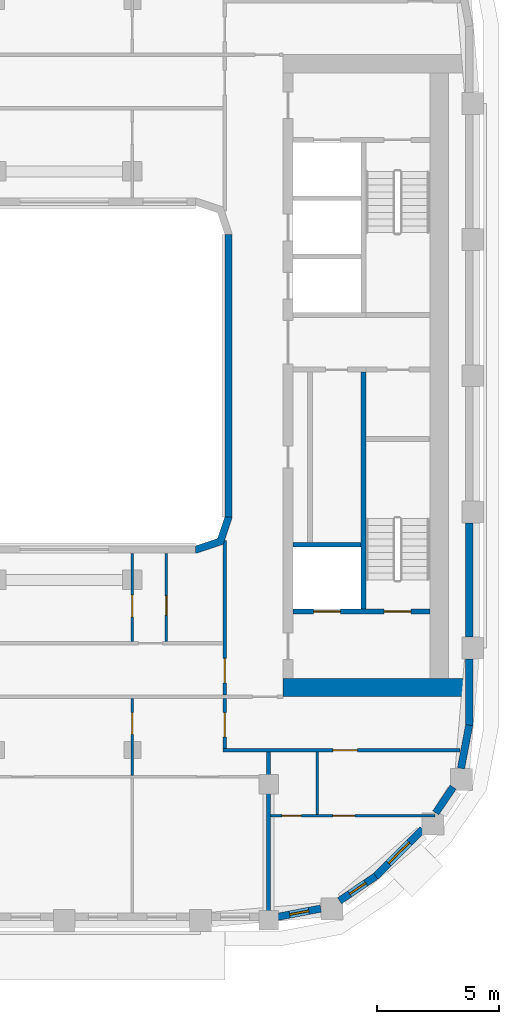
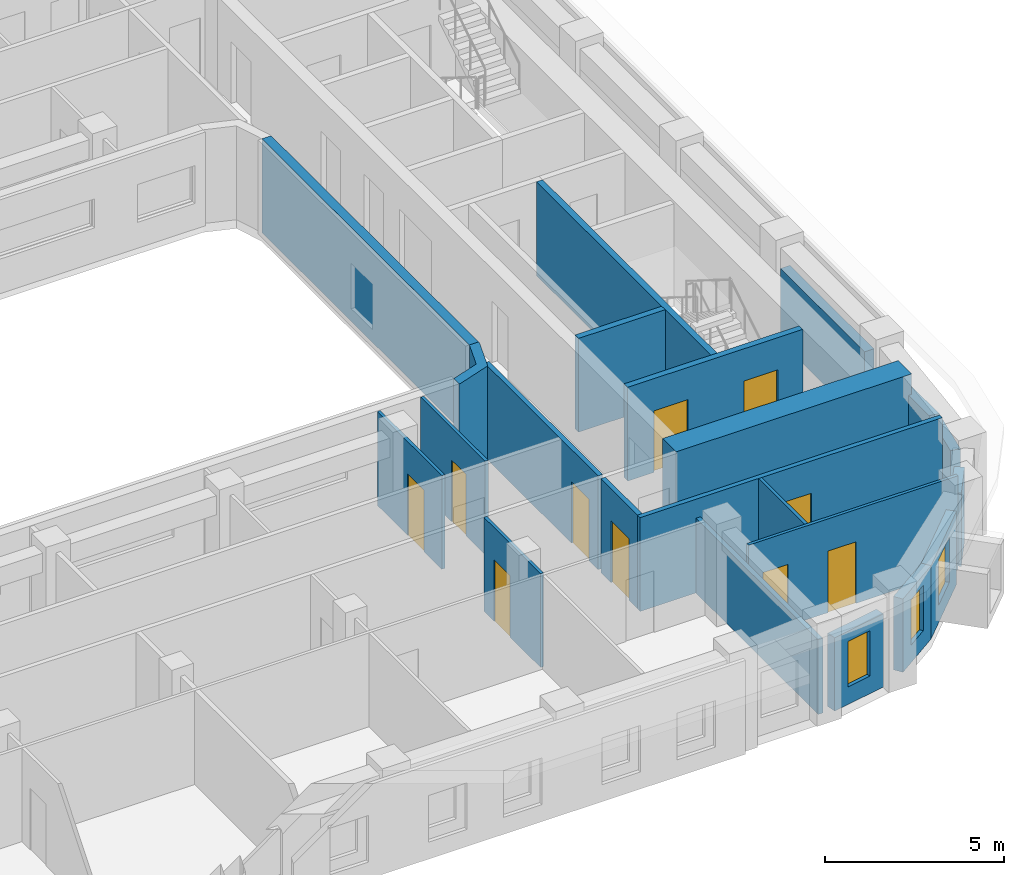
# One storey, part 5 of 21: 22 walls, 10 doors, 3 windows, 13 openings.
"""IFC4 building model written with IfcOpenShell, lengths in metres."""

from ifc_helpers import new_model, si_unit, direction, frame, frame_2d, origin, place, context, subcontext, project, spatial, polyline, rectangle, outline, extrude, material, layer, layer_set, type_object, element, fill, save


model = new_model("IFC4")

# Units and contexts
model_context = context("Model", 3, precision=1e-05, world=origin(), true_north=direction((0.0, 1.0)))
body_context = subcontext(model_context, "Body", "Model", "MODEL_VIEW")
ifc_project = project(units=[si_unit("LENGTHUNIT", "METRE"), si_unit("AREAUNIT", "SQUARE_METRE"), si_unit("VOLUMEUNIT", "CUBIC_METRE"), si_unit("PLANEANGLEUNIT", "RADIAN"), si_unit("MASSUNIT", "GRAM", prefix="KILO")], contexts=[model_context])

# Site, building, storey
site_placement = place(None, origin())
site = spatial("IfcSite", under=ifc_project, at=site_placement, CompositionType="ELEMENT")
building_placement = place(site_placement, origin())
building = spatial("IfcBuilding", under=site, at=building_placement, Name="Kiln Ring Residences", CompositionType="ELEMENT")
storey_placement = place(building_placement, frame((0.0, 0.0, 202.89990234375)))
storey = spatial("IfcBuildingStorey", under=building, at=storey_placement, Name="L52", CompositionType="ELEMENT", Elevation=202.89990234375)

# Walls
ifc_material_1 = material(Name="Gypsum shaft wall system")
ifc_layer_1 = layer(ifc_material_1, 0.199951171875)
ifc_layer_set_1 = layer_set([ifc_layer_1], Name="CORE-SHAFT-WALL-200")
wall_type_1 = type_object("IfcWallType", Name="CORE-SHAFT-WALL-200", PredefinedType="PARTITIONING", material=ifc_layer_set_1)
wall_1_placement = place(storey_placement, frame((17.800048828125, -6.949951171875, 0.0), z_axis=(0.0, 0.0, 1.0), x_axis=(1.0, 0.0, 0.0)))
element("IfcWall", 1, at=wall_1_placement, inside=storey, type_object=wall_type_1, Name="Core partition east L52 3", PredefinedType="PARTITIONING", context=body_context, shape_type="SweptSolid", body=[
    extrude(rectangle(XDim=2.800048828125, YDim=0.199951171875, at=frame_2d((1.39990234375, 0.0))), origin(), (0.0, 0.0, 1.0), 3.2001953125),
])
ifc_material_2 = material(Name="Concrete C40/50", Category="concrete")
ifc_layer_2 = layer(ifc_material_2, 0.199951171875)
ifc_layer_set_2 = layer_set([ifc_layer_2], Name="CORE-WALL-RC200")
wall_type_2 = type_object("IfcWallType", Name="CORE-WALL-RC200", PredefinedType="SHEAR", material=ifc_layer_set_2)
wall_2_placement = place(storey_placement, frame((20.699951171875, -9.60009765625, 0.0), z_axis=(0.0, 0.0, 1.0), x_axis=(0.0, 1.0, 0.0)))
element("IfcWall", 2, at=wall_2_placement, inside=storey, type_object=wall_type_2, Name="Core wall east L52 2", PredefinedType="SHEAR", context=body_context, shape_type="SweptSolid", body=[
    extrude(rectangle(XDim=9.75, YDim=0.199951171875, at=frame_2d((4.875, 0.0))), origin(), (0.0, 0.0, 1.0), 3.2001953125),
])

# Wall, openings, doors
wall_3_placement = place(storey_placement, frame((17.800048828125, -9.699951171875, 0.0), z_axis=(0.0, 0.0, 1.0), x_axis=(1.0, 0.0, 0.0)))
wall_3 = element("IfcWall", 3, at=wall_3_placement, inside=storey, type_object=wall_type_2, Name="Core wall east L52 8", PredefinedType="SHEAR", context=body_context, shape_type="SweptSolid", body=[
    extrude(rectangle(XDim=5.64990234375, YDim=0.199951171875, at=frame_2d((2.824951171875, 0.0))), origin(), (0.0, 0.0, 1.0), 3.2001953125),
])
opening_1_placement = place(wall_3_placement, frame((0.85009765625, 0.0, 0.0)))
opening_1 = element("IfcOpeningElement", 4, at=opening_1_placement, cuts=wall_3, Name="Opening L52-CE01", PredefinedType="OPENING", context=body_context, shape_type="SweptSolid", body=[
    extrude(rectangle(XDim=1.10009765625, YDim=2.10009765625, at=frame_2d((0.550048828125, 1.050048828125))), frame((0.0, 0.10986328125, 0.0), z_axis=(0.0, -1.0, 0.0), x_axis=(1.0, 0.0, 0.0)), (0.0, 0.0, 1.0), 0.219970703125),
])
opening_2_placement = place(wall_3_placement, frame((3.75, 0.0, 0.0)))
opening_2 = element("IfcOpeningElement", 5, at=opening_2_placement, cuts=wall_3, Name="Opening L52-CE10", PredefinedType="OPENING", context=body_context, shape_type="SweptSolid", body=[
    extrude(rectangle(XDim=1.10009765625, YDim=2.10009765625, at=frame_2d((0.550048828125, 1.050048828125))), frame((0.0, 0.10986328125, 0.0), z_axis=(0.0, -1.0, 0.0), x_axis=(1.0, 0.0, 0.0)), (0.0, 0.0, 1.0), 0.219970703125),
])
ifc_material_3 = material(Name="Steel door leaf", Category="steel")
door_type_1 = type_object("IfcDoorType", Name="CORE-DOOR-LD", OperationType="DOUBLE_DOOR_SLIDING", PredefinedType="DOOR", material=ifc_material_3)
door_1_placement = place(opening_1_placement, origin())
door_1 = element("IfcDoor", 6, at=door_1_placement, inside=storey, type_object=door_type_1, Name="LD E-SV L52-CE01", OperationType="DOUBLE_DOOR_SLIDING", OverallHeight=2.10009765625, OverallWidth=1.10009765625, PredefinedType="DOOR", context=body_context, shape_type="SweptSolid", body=[
    extrude(rectangle(XDim=1.10009765625, YDim=2.10009765625, at=frame_2d((0.550048828125, 1.050048828125))), frame((0.0, 0.02490234375, 0.0), z_axis=(0.0, -1.0, 0.0), x_axis=(1.0, 0.0, 0.0)), (0.0, 0.0, 1.0), 0.050048828125),
])
fill(opening_1, door_1)
ifc_material_4 = material(Name="Steel door leaf", Category="steel")
door_type_2 = type_object("IfcDoorType", Name="CORE-DOOR-STAIR", OperationType="SINGLE_SWING_LEFT", PredefinedType="DOOR", material=ifc_material_4)
door_2_placement = place(opening_2_placement, origin())
door_2 = element("IfcDoor", 7, at=door_2_placement, inside=storey, type_object=door_type_2, Name="Stair E-STS L52-CE10", OperationType="SINGLE_SWING_RIGHT", OverallHeight=2.10009765625, OverallWidth=1.10009765625, PredefinedType="DOOR", context=body_context, shape_type="SweptSolid", body=[
    extrude(rectangle(XDim=1.10009765625, YDim=2.10009765625, at=frame_2d((0.550048828125, 1.050048828125))), frame((0.0, 0.02490234375, 0.0), z_axis=(0.0, -1.0, 0.0), x_axis=(1.0, 0.0, 0.0)), (0.0, 0.0, 1.0), 0.050048828125),
])
fill(opening_2, door_2)

# Wall
ifc_material_5 = material(Name="Concrete C60/75", Category="concrete")
ifc_layer_3 = layer(ifc_material_5, 0.75)
ifc_layer_set_3 = layer_set([ifc_layer_3], Name="CORE-WALL-RC750")
wall_type_3 = type_object("IfcWallType", Name="CORE-WALL-RC750", PredefinedType="SHEAR", material=ifc_layer_set_3)
wall_4_placement = place(storey_placement, frame((17.39990234375, -12.824951171875, 0.0), z_axis=(0.0, 0.0, 1.0), x_axis=(1.0, 0.0, 0.0)))
element("IfcWall", 8, at=wall_4_placement, inside=storey, type_object=wall_type_3, Name="Core wall east L52 5", PredefinedType="SHEAR", context=body_context, shape_type="SweptSolid", body=[
    extrude(rectangle(XDim=7.60009765625, YDim=0.75, at=frame_2d((3.800048828125, 0.0))), origin(), (0.0, 0.0, 1.0), 3.2001953125),
])

# Wall, opening, window
ifc_material_6 = material(Name="Brick masonry, dark clay brick", Category="masonry")
ifc_layer_4 = layer(ifc_material_6, 0.300048828125)
ifc_layer_set_4 = layer_set([ifc_layer_4], Name="EW-300 BRICK WALL")
wall_type_4 = type_object("IfcWallType", Name="EW-300 BRICK WALL", PredefinedType="SOLIDWALL", material=ifc_layer_set_4)
wall_5_placement = place(storey_placement, frame((17.178955078125, -22.251220703125, 0.0), z_axis=(0.0, 0.0, 1.0), x_axis=(0.98230529033, 0.187286722942, 0.0)))
wall_5 = element("IfcWall", 9, at=wall_5_placement, inside=storey, type_object=wall_type_4, Name="Facade wall L52 11", PredefinedType="SOLIDWALL", context=body_context, shape_type="SweptSolid", body=[
    extrude(rectangle(XDim=1.798828125, YDim=0.300048828125, at=frame_2d((0.8994140625, 0.0))), origin(), (0.0, 0.0, 1.0), 2.5),
])
opening_3_placement = place(wall_5_placement, frame((0.49951171875, 0.0, 0.60009765625)))
opening_3 = element("IfcOpeningElement", 10, at=opening_3_placement, cuts=wall_5, Name="Opening W5", PredefinedType="OPENING", context=body_context, shape_type="SweptSolid", body=[
    extrude(rectangle(XDim=0.800048828125, YDim=1.550048828125, at=frame_2d((0.39990234375, 0.77490234375))), frame((0.0, 0.159912109375, 0.0), z_axis=(0.0, -1.0, 0.0), x_axis=(1.0, 0.0, 0.0)), (0.0, 0.0, 1.0), 0.320068359375),
])
ifc_material_7 = material(Name="Aluminium frame with double glazing", Category="aluminium")
window_type_1 = type_object("IfcWindowType", Name="WINDOW 800 x 1550", PartitioningType="SINGLE_PANEL", PredefinedType="WINDOW", material=ifc_material_7)
window_1_placement = place(opening_3_placement, origin())
window_1 = element("IfcWindow", 11, at=window_1_placement, inside=storey, type_object=window_type_1, Name="Window L52 14", OverallHeight=1.550048828125, OverallWidth=0.800048828125, PartitioningType="SINGLE_PANEL", PredefinedType="WINDOW", context=body_context, shape_type="SweptSolid", body=[
    extrude(rectangle(XDim=0.800048828125, YDim=1.550048828125, at=frame_2d((0.39990234375, 0.77490234375))), frame((0.0, 0.030029296875, 0.0), z_axis=(0.0, -1.0, 0.0), x_axis=(1.0, 0.0, 0.0)), (0.0, 0.0, 1.0), 0.06005859375),
])
fill(opening_3, window_1)

wall_6_placement = place(storey_placement, frame((19.718994140625, -21.593994140625, 0.0), z_axis=(0.0, 0.0, 1.0), x_axis=(0.827067282455, 0.562102935673, 0.0)))
wall_6 = element("IfcWall", 12, at=wall_6_placement, inside=storey, type_object=wall_type_4, Name="Facade wall L52 12", PredefinedType="SOLIDWALL", context=body_context, shape_type="SweptSolid", body=[
    extrude(rectangle(XDim=1.805908203125, YDim=0.300048828125, at=frame_2d((0.90283203125, 0.0))), origin(), (0.0, 0.0, 1.0), 2.5),
])
opening_4_placement = place(wall_6_placement, frame((0.5029296875, 0.0, 0.60009765625)))
opening_4 = element("IfcOpeningElement", 13, at=opening_4_placement, cuts=wall_6, Name="Opening W5", PredefinedType="OPENING", context=body_context, shape_type="SweptSolid", body=[
    extrude(rectangle(XDim=0.800048828125, YDim=1.550048828125, at=frame_2d((0.39990234375, 0.77490234375))), frame((0.0, 0.159912109375, 0.0), z_axis=(0.0, -1.0, 0.0), x_axis=(1.0, 0.0, 0.0)), (0.0, 0.0, 1.0), 0.320068359375),
])
window_2_placement = place(opening_4_placement, origin())
window_2 = element("IfcWindow", 14, at=window_2_placement, inside=storey, type_object=window_type_1, Name="Window L52 15", OverallHeight=1.550048828125, OverallWidth=0.800048828125, PartitioningType="SINGLE_PANEL", PredefinedType="WINDOW", context=body_context, shape_type="SweptSolid", body=[
    extrude(rectangle(XDim=0.800048828125, YDim=1.550048828125, at=frame_2d((0.39990234375, 0.77490234375))), frame((0.0, 0.030029296875, 0.0), z_axis=(0.0, -1.0, 0.0), x_axis=(1.0, 0.0, 0.0)), (0.0, 0.0, 1.0), 0.06005859375),
])
fill(opening_4, window_2)

wall_7_placement = place(storey_placement, frame((21.19091796875, -20.596923828125, 0.0), z_axis=(0.0, 0.0, 1.0), x_axis=(0.707106781187, 0.707106781187, 0.0)))
wall_7 = element("IfcWall", 15, at=wall_7_placement, inside=storey, type_object=wall_type_4, Name="Facade wall L52 13", PredefinedType="SOLIDWALL", context=body_context, shape_type="SweptSolid", body=[
    extrude(rectangle(XDim=2.75, YDim=0.300048828125, at=frame_2d((1.375, 0.0))), origin(), (0.0, 0.0, 1.0), 2.5),
])
opening_5_placement = place(wall_7_placement, frame((0.77490234375, 0.0, 0.60009765625)))
opening_5 = element("IfcOpeningElement", 16, at=opening_5_placement, cuts=wall_7, Name="Opening W1", PredefinedType="OPENING", context=body_context, shape_type="SweptSolid", body=[
    extrude(rectangle(XDim=1.199951171875, YDim=1.550048828125, at=frame_2d((0.60009765625, 0.77490234375))), frame((0.0, 0.159912109375, 0.0), z_axis=(0.0, -1.0, 0.0), x_axis=(1.0, 0.0, 0.0)), (0.0, 0.0, 1.0), 0.320068359375),
])
ifc_material_8 = material(Name="Aluminium frame with double glazing", Category="aluminium")
window_type_2 = type_object("IfcWindowType", Name="WINDOW 1200 x 1550", PartitioningType="SINGLE_PANEL", PredefinedType="WINDOW", material=ifc_material_8)
window_3_placement = place(opening_5_placement, origin())
window_3 = element("IfcWindow", 17, at=window_3_placement, inside=storey, type_object=window_type_2, Name="Window L52 16", OverallHeight=1.550048828125, OverallWidth=1.199951171875, PartitioningType="SINGLE_PANEL", PredefinedType="WINDOW", context=body_context, shape_type="SweptSolid", body=[
    extrude(rectangle(XDim=1.199951171875, YDim=1.550048828125, at=frame_2d((0.60009765625, 0.77490234375))), frame((0.0, 0.030029296875, 0.0), z_axis=(0.0, -1.0, 0.0), x_axis=(1.0, 0.0, 0.0)), (0.0, 0.0, 1.0), 0.06005859375),
])
fill(opening_5, window_3)

# Walls
wall_8_placement = place(storey_placement, frame((23.67626953125, -17.975341796875, 0.0), z_axis=(0.0, 0.0, 1.0), x_axis=(0.56200149592, 0.827136215253, 0.0)))
element("IfcWall", 18, at=wall_8_placement, inside=storey, type_object=wall_type_4, Name="Facade wall L52 14", PredefinedType="SOLIDWALL", context=body_context, shape_type="SweptSolid", body=[
    extrude(rectangle(XDim=1.277099609375, YDim=0.300048828125, at=frame_2d((0.638671875, 0.0))), origin(), (0.0, 0.0, 1.0), 2.5),
])
wall_9_placement = place(storey_placement, frame((24.71435546875, -16.14599609375, 0.0), z_axis=(0.0, 0.0, 1.0), x_axis=(0.187348135549, 0.982293579388, 0.0)))
element("IfcWall", 19, at=wall_9_placement, inside=storey, type_object=wall_type_4, Name="Facade wall L52 15", PredefinedType="SOLIDWALL", context=body_context, shape_type="SweptSolid", body=[
    extrude(rectangle(XDim=1.80615234375, YDim=0.300048828125, at=frame_2d((0.903076171875, 0.0))), origin(), (0.0, 0.0, 1.0), 2.5),
])
wall_10_placement = place(storey_placement, frame((25.050048828125, -14.39990234375, 0.0), z_axis=(0.0, 0.0, 1.0), x_axis=(0.0, 1.0, 0.0)))
element("IfcWall", 20, at=wall_10_placement, inside=storey, type_object=wall_type_4, Name="Facade wall L52 16", PredefinedType="SOLIDWALL", context=body_context, shape_type="SweptSolid", body=[
    extrude(rectangle(XDim=2.75, YDim=0.300048828125, at=frame_2d((1.375, 0.0))), origin(), (0.0, 0.0, 1.0), 2.5),
])
wall_11_placement = place(storey_placement, frame((25.050048828125, -10.75, 0.0), z_axis=(0.0, 0.0, 1.0), x_axis=(0.0, 1.0, 0.0)))
element("IfcWall", 21, at=wall_11_placement, inside=storey, type_object=wall_type_4, Name="Facade wall L52 17", PredefinedType="SOLIDWALL", context=body_context, shape_type="SweptSolid", body=[
    extrude(rectangle(XDim=4.699951171875, YDim=0.300048828125, at=frame_2d((2.35009765625, 0.0))), origin(), (0.0, 0.0, 1.0), 2.5),
])
wall_12_placement = place(storey_placement, frame((15.14990234375, 5.800048828125, 0.0), z_axis=(0.0, 0.0, 1.0), x_axis=(0.0, -1.0, 0.0)))
element("IfcWall", 22, at=wall_12_placement, inside=storey, type_object=wall_type_4, Name="Facade wall L52 49", PredefinedType="SOLIDWALL", context=body_context, shape_type="SweptSolid", body=[
    extrude(rectangle(XDim=11.60009765625, YDim=0.300048828125, at=frame_2d((5.800048828125, 0.0))), origin(), (0.0, 0.0, 1.0), 3.2001953125),
])
wall_13_placement = place(storey_placement, origin())
element("IfcWall", 23, at=wall_13_placement, inside=storey, type_object=wall_type_4, Name="Corner wall L52 3", PredefinedType="SOLIDWALL", context=body_context, shape_type="SweptSolid", body=[
    extrude(outline(polyline([(14.937255859375, -6.937255859375), (15.300048828125, -5.8486328125), (15.300048828125, -5.800048828125), (15.0, -5.800048828125), (14.699951171875, -6.699951171875), (13.800048828125, -7.0), (13.800048828125, -7.300048828125), (13.8486328125, -7.300048828125), (14.937255859375, -6.937255859375)])), origin(), (0.0, 0.0, 1.0), 3.2001953125),
])

# Wall, openings, doors
ifc_material_9 = material(Name="Gypsum board on steel studs", Category="steel")
ifc_layer_5 = layer(ifc_material_9, 0.10009765625)
ifc_layer_set_5 = layer_set([ifc_layer_5], Name="PARTITION-100")
wall_type_5 = type_object("IfcWallType", Name="PARTITION-100", PredefinedType="PARTITIONING", material=ifc_layer_set_5)
wall_14_placement = place(storey_placement, frame((16.875, -18.10009765625, 0.0), z_axis=(0.0, 0.0, 1.0), x_axis=(1.0, 0.0, 0.0)))
wall_14 = element("IfcWall", 24, at=wall_14_placement, inside=storey, type_object=wall_type_5, Name="Partition 001", PredefinedType="PARTITIONING", context=body_context, shape_type="SweptSolid", body=[
    extrude(rectangle(XDim=6.764892578125, YDim=0.10009765625, at=frame_2d((3.38232421875, 0.0))), origin(), (0.0, 0.0, 1.0), 3.2001953125),
])
opening_6_placement = place(wall_14_placement, frame((0.47509765625, 0.0, 0.0)))
opening_6 = element("IfcOpeningElement", 25, at=opening_6_placement, cuts=wall_14, Name="Opening L52-D058", PredefinedType="OPENING", context=body_context, shape_type="SweptSolid", body=[
    extrude(rectangle(XDim=0.800048828125, YDim=2.10009765625, at=frame_2d((0.39990234375, 1.050048828125))), frame((0.0, 0.06005859375, 0.0), z_axis=(0.0, -1.0, 0.0), x_axis=(1.0, 0.0, 0.0)), (0.0, 0.0, 1.0), 0.1201171875),
])
opening_7_placement = place(wall_14_placement, frame((2.574951171875, 0.0, 0.0)))
opening_7 = element("IfcOpeningElement", 26, at=opening_7_placement, cuts=wall_14, Name="Opening L52-D059", PredefinedType="OPENING", context=body_context, shape_type="SweptSolid", body=[
    extrude(rectangle(XDim=0.89990234375, YDim=2.10009765625, at=frame_2d((0.449951171875, 1.050048828125))), frame((0.0, 0.06005859375, 0.0), z_axis=(0.0, -1.0, 0.0), x_axis=(1.0, 0.0, 0.0)), (0.0, 0.0, 1.0), 0.1201171875),
])
ifc_material_10 = material(Name="Timber door leaf", Category="wood")
door_type_3 = type_object("IfcDoorType", Name="FLAT-DOOR-800-PL", OperationType="SINGLE_SWING_LEFT", PredefinedType="DOOR", material=ifc_material_10)
door_3_placement = place(opening_6_placement, origin())
door_3 = element("IfcDoor", 27, at=door_3_placement, inside=storey, type_object=door_type_3, Name="Door L52-D058", OperationType="SINGLE_SWING_RIGHT", OverallHeight=2.10009765625, OverallWidth=0.800048828125, PredefinedType="DOOR", context=body_context, shape_type="SweptSolid", body=[
    extrude(rectangle(XDim=0.800048828125, YDim=2.10009765625, at=frame_2d((0.39990234375, 1.050048828125))), frame((0.0, 0.02490234375, 0.0), z_axis=(0.0, -1.0, 0.0), x_axis=(1.0, 0.0, 0.0)), (0.0, 0.0, 1.0), 0.050048828125),
])
fill(opening_6, door_3)
ifc_material_11 = material(Name="Timber door leaf", Category="wood")
door_type_4 = type_object("IfcDoorType", Name="FLAT-DOOR-900-PL", OperationType="SINGLE_SWING_LEFT", PredefinedType="DOOR", material=ifc_material_11)
door_4_placement = place(opening_7_placement, origin())
door_4 = element("IfcDoor", 28, at=door_4_placement, inside=storey, type_object=door_type_4, Name="Door L52-D059", OperationType="SINGLE_SWING_LEFT", OverallHeight=2.10009765625, OverallWidth=0.89990234375, PredefinedType="DOOR", context=body_context, shape_type="SweptSolid", body=[
    extrude(rectangle(XDim=0.89990234375, YDim=2.10009765625, at=frame_2d((0.449951171875, 1.050048828125))), frame((0.0, 0.02490234375, 0.0), z_axis=(0.0, -1.0, 0.0), x_axis=(1.0, 0.0, 0.0)), (0.0, 0.0, 1.0), 0.050048828125),
])
fill(opening_7, door_4)

# Wall, opening, door
wall_15_placement = place(storey_placement, frame((11.199951171875, -16.449951171875, 0.0), z_axis=(0.0, 0.0, 1.0), x_axis=(0.0, 1.0, 0.0)))
wall_15 = element("IfcWall", 29, at=wall_15_placement, inside=storey, type_object=wall_type_5, Name="Partition 051", PredefinedType="PARTITIONING", context=body_context, shape_type="SweptSolid", body=[
    extrude(rectangle(XDim=3.175048828125, YDim=0.10009765625, at=frame_2d((1.58740234375, 0.0))), origin(), (0.0, 0.0, 1.0), 3.2001953125),
])
opening_8_placement = place(wall_15_placement, frame((1.698974609375, 0.0, 0.0)))
opening_8 = element("IfcOpeningElement", 30, at=opening_8_placement, cuts=wall_15, Name="Opening L52-D052", PredefinedType="OPENING", context=body_context, shape_type="SweptSolid", body=[
    extrude(rectangle(XDim=0.89990234375, YDim=2.10009765625, at=frame_2d((0.449951171875, 1.050048828125))), frame((0.0, 0.06005859375, 0.0), z_axis=(0.0, -1.0, 0.0), x_axis=(1.0, 0.0, 0.0)), (0.0, 0.0, 1.0), 0.1201171875),
])
door_5_placement = place(opening_8_placement, origin())
door_5 = element("IfcDoor", 31, at=door_5_placement, inside=storey, type_object=door_type_4, Name="Door L52-D052", OperationType="SINGLE_SWING_LEFT", OverallHeight=2.10009765625, OverallWidth=0.89990234375, PredefinedType="DOOR", context=body_context, shape_type="SweptSolid", body=[
    extrude(rectangle(XDim=0.89990234375, YDim=2.10009765625, at=frame_2d((0.449951171875, 1.050048828125))), frame((0.0, 0.02490234375, 0.0), z_axis=(0.0, -1.0, 0.0), x_axis=(1.0, 0.0, 0.0)), (0.0, 0.0, 1.0), 0.050048828125),
])
fill(opening_8, door_5)

wall_16_placement = place(storey_placement, frame((11.199951171875, -10.925048828125, 0.0), z_axis=(0.0, 0.0, 1.0), x_axis=(0.0, 1.0, 0.0)))
wall_16 = element("IfcWall", 32, at=wall_16_placement, inside=storey, type_object=wall_type_5, Name="Partition 052", PredefinedType="PARTITIONING", context=body_context, shape_type="SweptSolid", body=[
    extrude(rectangle(XDim=3.60498046875, YDim=0.10009765625, at=frame_2d((1.802490234375, 0.0))), origin(), (0.0, 0.0, 1.0), 3.2001953125),
])
opening_9_placement = place(wall_16_placement, frame((1.0048828125, 0.0, 0.0)))
opening_9 = element("IfcOpeningElement", 33, at=opening_9_placement, cuts=wall_16, Name="Opening L52-D043", PredefinedType="OPENING", context=body_context, shape_type="SweptSolid", body=[
    extrude(rectangle(XDim=0.89990234375, YDim=2.10009765625, at=frame_2d((0.449951171875, 1.050048828125))), frame((0.0, 0.06005859375, 0.0), z_axis=(0.0, -1.0, 0.0), x_axis=(1.0, 0.0, 0.0)), (0.0, 0.0, 1.0), 0.1201171875),
])
door_6_placement = place(opening_9_placement, origin())
door_6 = element("IfcDoor", 34, at=door_6_placement, inside=storey, type_object=door_type_4, Name="Door L52-D043", OperationType="SINGLE_SWING_RIGHT", OverallHeight=2.10009765625, OverallWidth=0.89990234375, PredefinedType="DOOR", context=body_context, shape_type="SweptSolid", body=[
    extrude(rectangle(XDim=0.89990234375, YDim=2.10009765625, at=frame_2d((0.449951171875, 1.050048828125))), frame((0.0, 0.02490234375, 0.0), z_axis=(0.0, -1.0, 0.0), x_axis=(1.0, 0.0, 0.0)), (0.0, 0.0, 1.0), 0.050048828125),
])
fill(opening_9, door_6)

wall_17_placement = place(storey_placement, frame((12.60009765625, -10.925048828125, 0.0), z_axis=(0.0, 0.0, 1.0), x_axis=(0.0, 1.0, 0.0)))
wall_17 = element("IfcWall", 35, at=wall_17_placement, inside=storey, type_object=wall_type_5, Name="Partition 056", PredefinedType="PARTITIONING", context=body_context, shape_type="SweptSolid", body=[
    extrude(rectangle(XDim=3.60498046875, YDim=0.10009765625, at=frame_2d((1.802490234375, 0.0))), origin(), (0.0, 0.0, 1.0), 3.2001953125),
])
opening_10_placement = place(wall_17_placement, frame((1.075927734375, 0.0, 0.0)))
opening_10 = element("IfcOpeningElement", 36, at=opening_10_placement, cuts=wall_17, Name="Opening L52-D042", PredefinedType="OPENING", context=body_context, shape_type="SweptSolid", body=[
    extrude(rectangle(XDim=0.800048828125, YDim=2.10009765625, at=frame_2d((0.39990234375, 1.050048828125))), frame((0.0, 0.06005859375, 0.0), z_axis=(0.0, -1.0, 0.0), x_axis=(1.0, 0.0, 0.0)), (0.0, 0.0, 1.0), 0.1201171875),
])
door_7_placement = place(opening_10_placement, origin())
door_7 = element("IfcDoor", 37, at=door_7_placement, inside=storey, type_object=door_type_3, Name="Door L52-D042", OperationType="SINGLE_SWING_LEFT", OverallHeight=2.10009765625, OverallWidth=0.800048828125, PredefinedType="DOOR", context=body_context, shape_type="SweptSolid", body=[
    extrude(rectangle(XDim=0.800048828125, YDim=2.10009765625, at=frame_2d((0.39990234375, 1.050048828125))), frame((0.0, 0.02490234375, 0.0), z_axis=(0.0, -1.0, 0.0), x_axis=(1.0, 0.0, 0.0)), (0.0, 0.0, 1.0), 0.050048828125),
])
fill(opening_10, door_7)

# Wall
wall_18_placement = place(storey_placement, frame((18.800048828125, -18.050048828125, 0.0), z_axis=(0.0, 0.0, 1.0), x_axis=(0.0, 1.0, 0.0)))
element("IfcWall", 38, at=wall_18_placement, inside=storey, type_object=wall_type_5, Name="Partition 064", PredefinedType="PARTITIONING", context=body_context, shape_type="SweptSolid", body=[
    extrude(rectangle(XDim=2.574951171875, YDim=0.10009765625, at=frame_2d((1.28759765625, 0.0))), origin(), (0.0, 0.0, 1.0), 3.2001953125),
])

# Wall, opening, door
ifc_material_12 = material(Name="Brick masonry partition", Category="masonry")
ifc_layer_6 = layer(ifc_material_12, 0.14990234375)
ifc_layer_set_6 = layer_set([ifc_layer_6], Name="PARTITION-150-ei60")
wall_type_6 = type_object("IfcWallType", Name="PARTITION-150-ei60", PredefinedType="PARTITIONING", material=ifc_layer_set_6)
wall_19_placement = place(storey_placement, frame((14.925048828125, -15.39990234375, 0.0), z_axis=(0.0, 0.0, 1.0), x_axis=(1.0, 0.0, 0.0)))
wall_19 = element("IfcWall", 39, at=wall_19_placement, inside=storey, type_object=wall_type_6, Name="Partition 004", PredefinedType="PARTITIONING", context=body_context, shape_type="SweptSolid", body=[
    extrude(rectangle(XDim=9.7587890625, YDim=0.14990234375, at=frame_2d((4.87939453125, 0.0))), origin(), (0.0, 0.0, 1.0), 3.2001953125),
])
opening_11_placement = place(wall_19_placement, frame((4.52490234375, 0.0, 0.0)))
opening_11 = element("IfcOpeningElement", 40, at=opening_11_placement, cuts=wall_19, Name="Opening L52-D057", PredefinedType="OPENING", context=body_context, shape_type="SweptSolid", body=[
    extrude(rectangle(XDim=1.0, YDim=2.10009765625, at=frame_2d((0.5, 1.050048828125))), frame((0.0, 0.0849609375, 0.0), z_axis=(0.0, -1.0, 0.0), x_axis=(1.0, 0.0, 0.0)), (0.0, 0.0, 1.0), 0.169921875),
])
ifc_material_13 = material(Name="Steel faced fire door leaf", Category="steel")
door_type_5 = type_object("IfcDoorType", Name="FLAT-DOOR-1000-FR", OperationType="SINGLE_SWING_LEFT", PredefinedType="DOOR", material=ifc_material_13)
door_8_placement = place(opening_11_placement, origin())
door_8 = element("IfcDoor", 41, at=door_8_placement, inside=storey, type_object=door_type_5, Name="Door L52-D057", OperationType="SINGLE_SWING_LEFT", OverallHeight=2.10009765625, OverallWidth=1.0, PredefinedType="DOOR", context=body_context, shape_type="SweptSolid", body=[
    extrude(rectangle(XDim=1.0, YDim=2.10009765625, at=frame_2d((0.5, 1.050048828125))), frame((0.0, 0.02490234375, 0.0), z_axis=(0.0, -1.0, 0.0), x_axis=(1.0, 0.0, 0.0)), (0.0, 0.0, 1.0), 0.050048828125),
])
fill(opening_11, door_8)

wall_20_placement = place(storey_placement, frame((15.0, -15.324951171875, 0.0), z_axis=(0.0, 0.0, 1.0), x_axis=(0.0, 1.0, 0.0)))
wall_20 = element("IfcWall", 42, at=wall_20_placement, inside=storey, type_object=wall_type_6, Name="Partition 058", PredefinedType="PARTITIONING", context=body_context, shape_type="SweptSolid", body=[
    extrude(rectangle(XDim=2.050048828125, YDim=0.14990234375, at=frame_2d((1.02490234375, 0.0))), origin(), (0.0, 0.0, 1.0), 3.2001953125),
])
opening_12_placement = place(wall_20_placement, frame((0.47412109375, 0.0, 0.0)))
opening_12 = element("IfcOpeningElement", 43, at=opening_12_placement, cuts=wall_20, Name="Opening L52-D051", PredefinedType="OPENING", context=body_context, shape_type="SweptSolid", body=[
    extrude(rectangle(XDim=1.0, YDim=2.10009765625, at=frame_2d((0.5, 1.050048828125))), frame((0.0, 0.0849609375, 0.0), z_axis=(0.0, -1.0, 0.0), x_axis=(1.0, 0.0, 0.0)), (0.0, 0.0, 1.0), 0.169921875),
])
door_9_placement = place(opening_12_placement, origin())
door_9 = element("IfcDoor", 44, at=door_9_placement, inside=storey, type_object=door_type_5, Name="Door L52-D051", OperationType="SINGLE_SWING_LEFT", OverallHeight=2.10009765625, OverallWidth=1.0, PredefinedType="DOOR", context=body_context, shape_type="SweptSolid", body=[
    extrude(rectangle(XDim=1.0, YDim=2.10009765625, at=frame_2d((0.5, 1.050048828125))), frame((0.0, 0.02490234375, 0.0), z_axis=(0.0, -1.0, 0.0), x_axis=(1.0, 0.0, 0.0)), (0.0, 0.0, 1.0), 0.050048828125),
])
fill(opening_12, door_9)

wall_21_placement = place(storey_placement, frame((15.0, -13.125, 0.0), z_axis=(0.0, 0.0, 1.0), x_axis=(0.0, 1.0, 0.0)))
wall_21 = element("IfcWall", 45, at=wall_21_placement, inside=storey, type_object=wall_type_6, Name="Partition 059", PredefinedType="PARTITIONING", context=body_context, shape_type="SweptSolid", body=[
    extrude(rectangle(XDim=6.356201171875, YDim=0.14990234375, at=frame_2d((3.17822265625, 0.0))), origin(), (0.0, 0.0, 1.0), 3.2001953125),
])
opening_13_placement = place(wall_21_placement, frame((0.49609375, 0.0, 0.0)))
opening_13 = element("IfcOpeningElement", 46, at=opening_13_placement, cuts=wall_21, Name="Opening L52-D006", PredefinedType="OPENING", context=body_context, shape_type="SweptSolid", body=[
    extrude(rectangle(XDim=1.0, YDim=2.10009765625, at=frame_2d((0.5, 1.050048828125))), frame((0.0, 0.0849609375, 0.0), z_axis=(0.0, -1.0, 0.0), x_axis=(1.0, 0.0, 0.0)), (0.0, 0.0, 1.0), 0.169921875),
])
door_10_placement = place(opening_13_placement, origin())
door_10 = element("IfcDoor", 47, at=door_10_placement, inside=storey, type_object=door_type_5, Name="Door L52-D006", OperationType="SINGLE_SWING_LEFT", OverallHeight=2.10009765625, OverallWidth=1.0, PredefinedType="DOOR", context=body_context, shape_type="SweptSolid", body=[
    extrude(rectangle(XDim=1.0, YDim=2.10009765625, at=frame_2d((0.5, 1.050048828125))), frame((0.0, 0.02490234375, 0.0), z_axis=(0.0, -1.0, 0.0), x_axis=(1.0, 0.0, 0.0)), (0.0, 0.0, 1.0), 0.050048828125),
])
fill(opening_13, door_10)

# Wall
wall_22_placement = place(storey_placement, frame((16.800048828125, -22.31005859375, 0.0), z_axis=(0.0, 0.0, 1.0), x_axis=(0.0, 1.0, 0.0)))
element("IfcWall", 48, at=wall_22_placement, inside=storey, type_object=wall_type_6, Name="Partition 062", PredefinedType="PARTITIONING", context=body_context, shape_type="SweptSolid", body=[
    extrude(rectangle(XDim=6.8349609375, YDim=0.14990234375, at=frame_2d((3.41748046875, 0.0))), origin(), (0.0, 0.0, 1.0), 2.550048828125),
])

save(model, "model.ifc")
